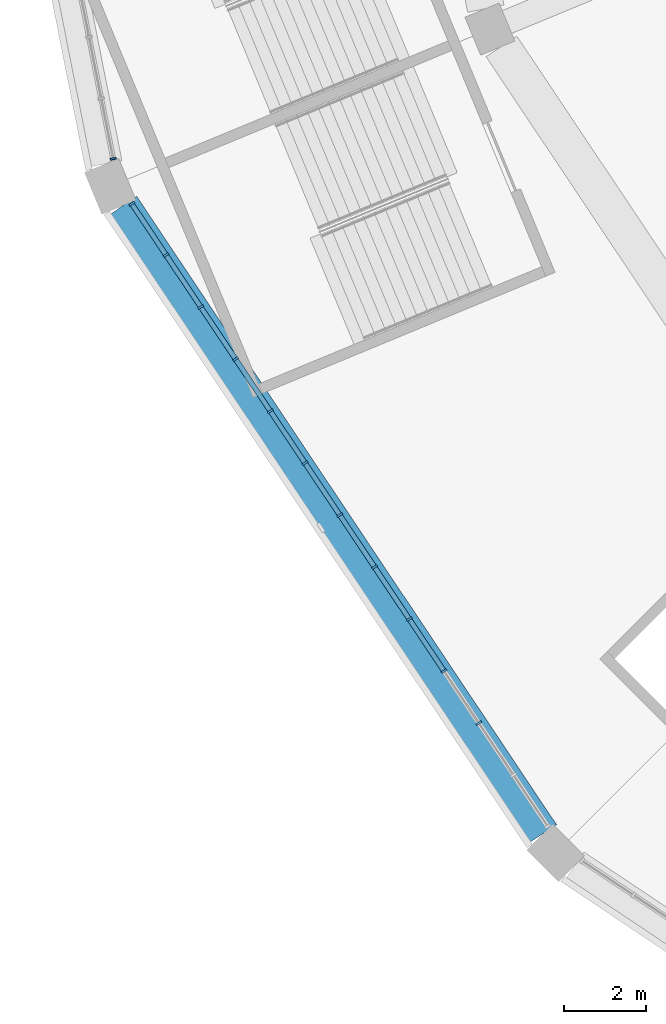
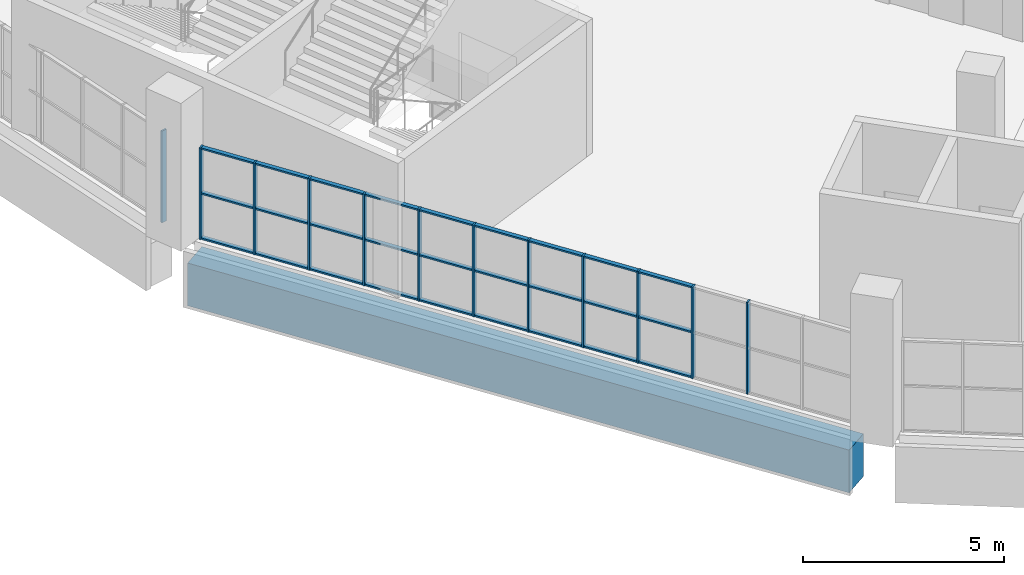
# One storey, part 3 of 199: 39 members, 1 beam, 2 elements without a shape of their own.
"""IFC4 building model written with IfcOpenShell, lengths in metres."""

from ifc_helpers import new_model, si_unit, direction, frame, origin, origin_2d, place, context, subcontext, project, spatial, rectangle, extrude, material, material_profile, profile_set, type_object, element, aggregate, save


model = new_model("IFC4")

# Units and contexts
model_context = context("Model", 3, precision=1e-05, world=origin(), true_north=direction((0.0, 1.0)))
body_context = subcontext(model_context, "Body", "Model", "MODEL_VIEW")
ifc_project = project(units=[si_unit("LENGTHUNIT", "METRE"), si_unit("AREAUNIT", "SQUARE_METRE"), si_unit("VOLUMEUNIT", "CUBIC_METRE"), si_unit("PLANEANGLEUNIT", "RADIAN"), si_unit("MASSUNIT", "GRAM", prefix="KILO")], contexts=[model_context])

# Site, building, storey
site_placement = place(None, origin())
site = spatial("IfcSite", under=ifc_project, at=site_placement, CompositionType="ELEMENT")
building_placement = place(site_placement, origin())
building = spatial("IfcBuilding", under=site, at=building_placement, Name="Ogive Plaza Stadium", CompositionType="ELEMENT")
storey_placement = place(building_placement, frame((0.0, 0.0, 9.0)))
storey = spatial("IfcBuildingStorey", under=building, at=storey_placement, Name="L02", CompositionType="ELEMENT", Elevation=9.0)

# Curtain wall, members
ifc_material_1 = material(Name="Bronze-anodised aluminium with laminated glass", Category="aluminium")
curtain_wall_type = type_object("IfcCurtainWallType", Name="Lancet curtain wall", PredefinedType="NOTDEFINED", material=ifc_material_1)
curtain_wall_1_placement = place(storey_placement, origin())
curtain_wall_1 = element("IfcCurtainWall", 1, at=curtain_wall_1_placement, inside=storey, type_object=curtain_wall_type, Name="CURTAIN WALL B19 L02", PredefinedType="NOTDEFINED")
ifc_material_2 = material(Name="Bronze-anodised aluminium", Category="aluminium")
ifc_material_profile_1 = material_profile(ifc_material_2, rectangle(XDim=0.14990234375, YDim=0.050048828125, at=origin_2d()), Name="AL 150x50")
ifc_profile_set_1 = profile_set([ifc_material_profile_1], Name="Bronze-anodised aluminium")
member_type_1 = type_object("IfcMemberType", Name="Curtain wall mullion 50x150", PredefinedType="MULLION", material=ifc_profile_set_1)
member_1_placement = place(storey_placement, frame((-71.225341796875, -84.69677734375, 0.0), z_axis=(0.0, 0.0, 1.0), x_axis=(-0.831469612303, -0.55557023302, 0.0)))
member_1 = element("IfcMember", 2, at=member_1_placement, type_object=member_type_1, Name="CW-B19-L02 mullion 3", PredefinedType="MULLION", context=body_context, shape_type="SweptSolid", body=[
    extrude(rectangle(XDim=0.14990234375, YDim=0.050048828125, at=origin_2d()), origin(), (0.0, 0.0, 1.0), 2.7900390625),
])
member_2_placement = place(storey_placement, frame((-72.071044921875, -83.430908203125, 0.0), z_axis=(0.0, 0.0, 1.0), x_axis=(-0.831469612303, -0.55557023302, 0.0)))
member_2 = element("IfcMember", 3, at=member_2_placement, type_object=member_type_1, Name="CW-B19-L02 mullion 4", PredefinedType="MULLION", context=body_context, shape_type="SweptSolid", body=[
    extrude(rectangle(XDim=0.14990234375, YDim=0.050048828125, at=origin_2d()), origin(), (0.0, 0.0, 1.0), 2.7900390625),
])
member_3_placement = place(storey_placement, frame((-72.916748046875, -82.165283203125, 0.0), z_axis=(0.0, 0.0, 1.0), x_axis=(-0.831469612303, -0.55557023302, 0.0)))
member_3 = element("IfcMember", 4, at=member_3_placement, type_object=member_type_1, Name="CW-B19-L02 mullion 5", PredefinedType="MULLION", context=body_context, shape_type="SweptSolid", body=[
    extrude(rectangle(XDim=0.14990234375, YDim=0.050048828125, at=origin_2d()), origin(), (0.0, 0.0, 1.0), 2.7900390625),
])
member_4_placement = place(storey_placement, frame((-73.7626953125, -80.8994140625, 0.0), z_axis=(0.0, 0.0, 1.0), x_axis=(-0.831469612303, -0.55557023302, 0.0)))
member_4 = element("IfcMember", 5, at=member_4_placement, type_object=member_type_1, Name="CW-B19-L02 mullion 6", PredefinedType="MULLION", context=body_context, shape_type="SweptSolid", body=[
    extrude(rectangle(XDim=0.14990234375, YDim=0.050048828125, at=origin_2d()), origin(), (0.0, 0.0, 1.0), 2.7900390625),
])
member_5_placement = place(storey_placement, frame((-74.6083984375, -79.633544921875, 0.0), z_axis=(0.0, 0.0, 1.0), x_axis=(-0.831469612303, -0.55557023302, 0.0)))
member_5 = element("IfcMember", 6, at=member_5_placement, type_object=member_type_1, Name="CW-B19-L02 mullion 7", PredefinedType="MULLION", context=body_context, shape_type="SweptSolid", body=[
    extrude(rectangle(XDim=0.14990234375, YDim=0.050048828125, at=origin_2d()), origin(), (0.0, 0.0, 1.0), 2.7900390625),
])
member_6_placement = place(storey_placement, frame((-75.4541015625, -78.367919921875, 0.0), z_axis=(0.0, 0.0, 1.0), x_axis=(-0.831469612303, -0.55557023302, 0.0)))
member_6 = element("IfcMember", 7, at=member_6_placement, type_object=member_type_1, Name="CW-B19-L02 mullion 8", PredefinedType="MULLION", context=body_context, shape_type="SweptSolid", body=[
    extrude(rectangle(XDim=0.14990234375, YDim=0.050048828125, at=origin_2d()), origin(), (0.0, 0.0, 1.0), 2.7900390625),
])
member_7_placement = place(storey_placement, frame((-76.2998046875, -77.10205078125, 0.0), z_axis=(0.0, 0.0, 1.0), x_axis=(-0.831469612303, -0.55557023302, 0.0)))
member_7 = element("IfcMember", 8, at=member_7_placement, type_object=member_type_1, Name="CW-B19-L02 mullion 9", PredefinedType="MULLION", context=body_context, shape_type="SweptSolid", body=[
    extrude(rectangle(XDim=0.14990234375, YDim=0.050048828125, at=origin_2d()), origin(), (0.0, 0.0, 1.0), 2.7900390625),
])
member_8_placement = place(storey_placement, frame((-77.145751953125, -75.836181640625, 0.0), z_axis=(0.0, 0.0, 1.0), x_axis=(-0.831469612303, -0.55557023302, 0.0)))
member_8 = element("IfcMember", 9, at=member_8_placement, type_object=member_type_1, Name="CW-B19-L02 mullion 10", PredefinedType="MULLION", context=body_context, shape_type="SweptSolid", body=[
    extrude(rectangle(XDim=0.14990234375, YDim=0.050048828125, at=origin_2d()), origin(), (0.0, 0.0, 1.0), 2.7900390625),
])
member_9_placement = place(storey_placement, frame((-77.991455078125, -74.570556640625, 0.0), z_axis=(0.0, 0.0, 1.0), x_axis=(-0.831469612303, -0.55557023302, 0.0)))
member_9 = element("IfcMember", 10, at=member_9_placement, type_object=member_type_1, Name="CW-B19-L02 mullion 11", PredefinedType="MULLION", context=body_context, shape_type="SweptSolid", body=[
    extrude(rectangle(XDim=0.14990234375, YDim=0.050048828125, at=origin_2d()), origin(), (0.0, 0.0, 1.0), 2.7900390625),
])
member_10_placement = place(storey_placement, frame((-78.837158203125, -73.3046875, 0.0), z_axis=(0.0, 0.0, 1.0), x_axis=(-0.831469612303, -0.55557023302, 0.0)))
member_10 = element("IfcMember", 11, at=member_10_placement, type_object=member_type_1, Name="CW-B19-L02 mullion 12", PredefinedType="MULLION", context=body_context, shape_type="SweptSolid", body=[
    extrude(rectangle(XDim=0.14990234375, YDim=0.050048828125, at=origin_2d()), origin(), (0.0, 0.0, 1.0), 2.7900390625),
])
member_11_placement = place(storey_placement, frame((-79.669189453125, -72.059814453125, 0.0), z_axis=(0.0, 0.0, 1.0), x_axis=(-0.831469612303, -0.55557023302, 0.0)))
member_11 = element("IfcMember", 12, at=member_11_placement, type_object=member_type_1, Name="CW-B19-L02 mullion 13", PredefinedType="MULLION", context=body_context, shape_type="SweptSolid", body=[
    extrude(rectangle(XDim=0.14990234375, YDim=0.050048828125, at=origin_2d()), origin(), (0.0, 0.0, 1.0), 2.7900390625),
])

# Curtain wall, member
curtain_wall_2_placement = place(storey_placement, origin())
curtain_wall_2 = element("IfcCurtainWall", 13, at=curtain_wall_2_placement, inside=storey, type_object=curtain_wall_type, Name="CURTAIN WALL B20 L02", PredefinedType="NOTDEFINED")
member_12_placement = place(storey_placement, frame((-80.123779296875, -70.962158203125, 0.0), z_axis=(0.0, 0.0, 1.0), x_axis=(-0.9807852804, -0.195090322033, 0.0)))
member_12 = element("IfcMember", 14, at=member_12_placement, type_object=member_type_1, Name="CW-B20-L02 mullion 1", PredefinedType="MULLION", context=body_context, shape_type="SweptSolid", body=[
    extrude(rectangle(XDim=0.14990234375, YDim=0.050048828125, at=origin_2d()), origin(), (0.0, 0.0, 1.0), 2.7900390625),
])
aggregate(curtain_wall_2, [member_12])

# Member
ifc_material_3 = material(Name="Bronze-anodised aluminium", Category="aluminium")
ifc_material_profile_2 = material_profile(ifc_material_3, rectangle(XDim=0.1201171875, YDim=0.050048828125, at=origin_2d()), Name="AL 120x50")
ifc_profile_set_2 = profile_set([ifc_material_profile_2], Name="Bronze-anodised aluminium")
member_type_2 = type_object("IfcMemberType", Name="Curtain wall transom 50x120", PredefinedType="USERDEFINED", material=ifc_profile_set_2)
member_13_placement = place(storey_placement, frame((-72.0849609375, -83.41015625, 0.02490234375), z_axis=(-0.555541835587, 0.831488586159, 0.0), x_axis=(-0.831488586159, -0.555541835587, 0.0)))
member_13 = element("IfcMember", 15, at=member_13_placement, type_object=member_type_2, Name="CW-B19-L02 transom 4.1", ObjectType="TRANSOM", PredefinedType="USERDEFINED", context=body_context, shape_type="SweptSolid", body=[
    extrude(rectangle(XDim=0.1201171875, YDim=0.050048828125, at=origin_2d()), origin(), (0.0, 0.0, 1.0), 1.47216796875),
])

member_14_placement = place(storey_placement, frame((-72.0849609375, -83.41015625, 1.39501953125), z_axis=(-0.555541835587, 0.831488586159, 0.0), x_axis=(-0.831488586159, -0.555541835587, 0.0)))
member_14 = element("IfcMember", 16, at=member_14_placement, type_object=member_type_2, Name="CW-B19-L02 transom 4.2", ObjectType="TRANSOM", PredefinedType="USERDEFINED", context=body_context, shape_type="SweptSolid", body=[
    extrude(rectangle(XDim=0.1201171875, YDim=0.050048828125, at=origin_2d()), origin(), (0.0, 0.0, 1.0), 1.47216796875),
])

member_15_placement = place(storey_placement, frame((-72.0849609375, -83.41015625, 2.764892578125), z_axis=(-0.555541835587, 0.831488586159, 0.0), x_axis=(-0.831488586159, -0.555541835587, 0.0)))
member_15 = element("IfcMember", 17, at=member_15_placement, type_object=member_type_2, Name="CW-B19-L02 transom 4.3", ObjectType="TRANSOM", PredefinedType="USERDEFINED", context=body_context, shape_type="SweptSolid", body=[
    extrude(rectangle(XDim=0.1201171875, YDim=0.050048828125, at=origin_2d()), origin(), (0.0, 0.0, 1.0), 1.47216796875),
])

member_16_placement = place(storey_placement, frame((-72.9306640625, -82.14453125, 0.02490234375), z_axis=(-0.555579876157, 0.831463168883, 0.0), x_axis=(-0.831463168883, -0.555579876157, 0.0)))
member_16 = element("IfcMember", 18, at=member_16_placement, type_object=member_type_2, Name="CW-B19-L02 transom 5.1", ObjectType="TRANSOM", PredefinedType="USERDEFINED", context=body_context, shape_type="SweptSolid", body=[
    extrude(rectangle(XDim=0.1201171875, YDim=0.050048828125, at=origin_2d()), origin(), (0.0, 0.0, 1.0), 1.47265625),
])

member_17_placement = place(storey_placement, frame((-72.9306640625, -82.14453125, 1.39501953125), z_axis=(-0.555579876157, 0.831463168883, 0.0), x_axis=(-0.831463168883, -0.555579876157, 0.0)))
member_17 = element("IfcMember", 19, at=member_17_placement, type_object=member_type_2, Name="CW-B19-L02 transom 5.2", ObjectType="TRANSOM", PredefinedType="USERDEFINED", context=body_context, shape_type="SweptSolid", body=[
    extrude(rectangle(XDim=0.1201171875, YDim=0.050048828125, at=origin_2d()), origin(), (0.0, 0.0, 1.0), 1.47265625),
])

member_18_placement = place(storey_placement, frame((-72.9306640625, -82.14453125, 2.764892578125), z_axis=(-0.555579876157, 0.831463168883, 0.0), x_axis=(-0.831463168883, -0.555579876157, 0.0)))
member_18 = element("IfcMember", 20, at=member_18_placement, type_object=member_type_2, Name="CW-B19-L02 transom 5.3", ObjectType="TRANSOM", PredefinedType="USERDEFINED", context=body_context, shape_type="SweptSolid", body=[
    extrude(rectangle(XDim=0.1201171875, YDim=0.050048828125, at=origin_2d()), origin(), (0.0, 0.0, 1.0), 1.47265625),
])

member_19_placement = place(storey_placement, frame((-73.7763671875, -80.878662109375, 0.02490234375), z_axis=(-0.555656472512, 0.831411982446, 0.0), x_axis=(-0.831411982446, -0.555656472512, 0.0)))
member_19 = element("IfcMember", 21, at=member_19_placement, type_object=member_type_2, Name="CW-B19-L02 transom 6.1", ObjectType="TRANSOM", PredefinedType="USERDEFINED", context=body_context, shape_type="SweptSolid", body=[
    extrude(rectangle(XDim=0.1201171875, YDim=0.050048828125, at=origin_2d()), origin(), (0.0, 0.0, 1.0), 1.472412109375),
])

member_20_placement = place(storey_placement, frame((-73.7763671875, -80.878662109375, 1.39501953125), z_axis=(-0.555656472512, 0.831411982446, 0.0), x_axis=(-0.831411982446, -0.555656472512, 0.0)))
member_20 = element("IfcMember", 22, at=member_20_placement, type_object=member_type_2, Name="CW-B19-L02 transom 6.2", ObjectType="TRANSOM", PredefinedType="USERDEFINED", context=body_context, shape_type="SweptSolid", body=[
    extrude(rectangle(XDim=0.1201171875, YDim=0.050048828125, at=origin_2d()), origin(), (0.0, 0.0, 1.0), 1.472412109375),
])

member_21_placement = place(storey_placement, frame((-73.7763671875, -80.878662109375, 2.764892578125), z_axis=(-0.555656472512, 0.831411982446, 0.0), x_axis=(-0.831411982446, -0.555656472512, 0.0)))
member_21 = element("IfcMember", 23, at=member_21_placement, type_object=member_type_2, Name="CW-B19-L02 transom 6.3", ObjectType="TRANSOM", PredefinedType="USERDEFINED", context=body_context, shape_type="SweptSolid", body=[
    extrude(rectangle(XDim=0.1201171875, YDim=0.050048828125, at=origin_2d()), origin(), (0.0, 0.0, 1.0), 1.472412109375),
])

member_22_placement = place(storey_placement, frame((-74.622314453125, -79.61279296875, 0.02490234375), z_axis=(-0.555541835587, 0.831488586159, 0.0), x_axis=(-0.831488586159, -0.555541835587, 0.0)))
member_22 = element("IfcMember", 24, at=member_22_placement, type_object=member_type_2, Name="CW-B19-L02 transom 7.1", ObjectType="TRANSOM", PredefinedType="USERDEFINED", context=body_context, shape_type="SweptSolid", body=[
    extrude(rectangle(XDim=0.1201171875, YDim=0.050048828125, at=origin_2d()), origin(), (0.0, 0.0, 1.0), 1.47216796875),
])

member_23_placement = place(storey_placement, frame((-74.622314453125, -79.61279296875, 1.39501953125), z_axis=(-0.555541835587, 0.831488586159, 0.0), x_axis=(-0.831488586159, -0.555541835587, 0.0)))
member_23 = element("IfcMember", 25, at=member_23_placement, type_object=member_type_2, Name="CW-B19-L02 transom 7.2", ObjectType="TRANSOM", PredefinedType="USERDEFINED", context=body_context, shape_type="SweptSolid", body=[
    extrude(rectangle(XDim=0.1201171875, YDim=0.050048828125, at=origin_2d()), origin(), (0.0, 0.0, 1.0), 1.47216796875),
])

member_24_placement = place(storey_placement, frame((-74.622314453125, -79.61279296875, 2.764892578125), z_axis=(-0.555541835587, 0.831488586159, 0.0), x_axis=(-0.831488586159, -0.555541835587, 0.0)))
member_24 = element("IfcMember", 26, at=member_24_placement, type_object=member_type_2, Name="CW-B19-L02 transom 7.3", ObjectType="TRANSOM", PredefinedType="USERDEFINED", context=body_context, shape_type="SweptSolid", body=[
    extrude(rectangle(XDim=0.1201171875, YDim=0.050048828125, at=origin_2d()), origin(), (0.0, 0.0, 1.0), 1.47216796875),
])

member_25_placement = place(storey_placement, frame((-75.468017578125, -78.34716796875, 0.02490234375), z_axis=(-0.555579876157, 0.831463168883, 0.0), x_axis=(-0.831463168883, -0.555579876157, 0.0)))
member_25 = element("IfcMember", 27, at=member_25_placement, type_object=member_type_2, Name="CW-B19-L02 transom 8.1", ObjectType="TRANSOM", PredefinedType="USERDEFINED", context=body_context, shape_type="SweptSolid", body=[
    extrude(rectangle(XDim=0.1201171875, YDim=0.050048828125, at=origin_2d()), origin(), (0.0, 0.0, 1.0), 1.47265625),
])

member_26_placement = place(storey_placement, frame((-75.468017578125, -78.34716796875, 1.39501953125), z_axis=(-0.555579876157, 0.831463168883, 0.0), x_axis=(-0.831463168883, -0.555579876157, 0.0)))
member_26 = element("IfcMember", 28, at=member_26_placement, type_object=member_type_2, Name="CW-B19-L02 transom 8.2", ObjectType="TRANSOM", PredefinedType="USERDEFINED", context=body_context, shape_type="SweptSolid", body=[
    extrude(rectangle(XDim=0.1201171875, YDim=0.050048828125, at=origin_2d()), origin(), (0.0, 0.0, 1.0), 1.47265625),
])

member_27_placement = place(storey_placement, frame((-75.468017578125, -78.34716796875, 2.764892578125), z_axis=(-0.555579876157, 0.831463168883, 0.0), x_axis=(-0.831463168883, -0.555579876157, 0.0)))
member_27 = element("IfcMember", 29, at=member_27_placement, type_object=member_type_2, Name="CW-B19-L02 transom 8.3", ObjectType="TRANSOM", PredefinedType="USERDEFINED", context=body_context, shape_type="SweptSolid", body=[
    extrude(rectangle(XDim=0.1201171875, YDim=0.050048828125, at=origin_2d()), origin(), (0.0, 0.0, 1.0), 1.47265625),
])

member_28_placement = place(storey_placement, frame((-76.313720703125, -77.081298828125, 0.02490234375), z_axis=(-0.555656472512, 0.831411982446, 0.0), x_axis=(-0.831411982446, -0.555656472512, 0.0)))
member_28 = element("IfcMember", 30, at=member_28_placement, type_object=member_type_2, Name="CW-B19-L02 transom 9.1", ObjectType="TRANSOM", PredefinedType="USERDEFINED", context=body_context, shape_type="SweptSolid", body=[
    extrude(rectangle(XDim=0.1201171875, YDim=0.050048828125, at=origin_2d()), origin(), (0.0, 0.0, 1.0), 1.472412109375),
])

member_29_placement = place(storey_placement, frame((-76.313720703125, -77.081298828125, 1.39501953125), z_axis=(-0.555656472512, 0.831411982446, 0.0), x_axis=(-0.831411982446, -0.555656472512, 0.0)))
member_29 = element("IfcMember", 31, at=member_29_placement, type_object=member_type_2, Name="CW-B19-L02 transom 9.2", ObjectType="TRANSOM", PredefinedType="USERDEFINED", context=body_context, shape_type="SweptSolid", body=[
    extrude(rectangle(XDim=0.1201171875, YDim=0.050048828125, at=origin_2d()), origin(), (0.0, 0.0, 1.0), 1.472412109375),
])

member_30_placement = place(storey_placement, frame((-76.313720703125, -77.081298828125, 2.764892578125), z_axis=(-0.555656472512, 0.831411982446, 0.0), x_axis=(-0.831411982446, -0.555656472512, 0.0)))
member_30 = element("IfcMember", 32, at=member_30_placement, type_object=member_type_2, Name="CW-B19-L02 transom 9.3", ObjectType="TRANSOM", PredefinedType="USERDEFINED", context=body_context, shape_type="SweptSolid", body=[
    extrude(rectangle(XDim=0.1201171875, YDim=0.050048828125, at=origin_2d()), origin(), (0.0, 0.0, 1.0), 1.472412109375),
])

member_31_placement = place(storey_placement, frame((-77.15966796875, -75.8154296875, 0.02490234375), z_axis=(-0.555541835587, 0.831488586159, 0.0), x_axis=(-0.831488586159, -0.555541835587, 0.0)))
member_31 = element("IfcMember", 33, at=member_31_placement, type_object=member_type_2, Name="CW-B19-L02 transom 10.1", ObjectType="TRANSOM", PredefinedType="USERDEFINED", context=body_context, shape_type="SweptSolid", body=[
    extrude(rectangle(XDim=0.1201171875, YDim=0.050048828125, at=origin_2d()), origin(), (0.0, 0.0, 1.0), 1.47216796875),
])

member_32_placement = place(storey_placement, frame((-77.15966796875, -75.8154296875, 1.39501953125), z_axis=(-0.555541835587, 0.831488586159, 0.0), x_axis=(-0.831488586159, -0.555541835587, 0.0)))
member_32 = element("IfcMember", 34, at=member_32_placement, type_object=member_type_2, Name="CW-B19-L02 transom 10.2", ObjectType="TRANSOM", PredefinedType="USERDEFINED", context=body_context, shape_type="SweptSolid", body=[
    extrude(rectangle(XDim=0.1201171875, YDim=0.050048828125, at=origin_2d()), origin(), (0.0, 0.0, 1.0), 1.47216796875),
])

member_33_placement = place(storey_placement, frame((-77.15966796875, -75.8154296875, 2.764892578125), z_axis=(-0.555541835587, 0.831488586159, 0.0), x_axis=(-0.831488586159, -0.555541835587, 0.0)))
member_33 = element("IfcMember", 35, at=member_33_placement, type_object=member_type_2, Name="CW-B19-L02 transom 10.3", ObjectType="TRANSOM", PredefinedType="USERDEFINED", context=body_context, shape_type="SweptSolid", body=[
    extrude(rectangle(XDim=0.1201171875, YDim=0.050048828125, at=origin_2d()), origin(), (0.0, 0.0, 1.0), 1.47216796875),
])

member_34_placement = place(storey_placement, frame((-78.00537109375, -74.5498046875, 0.02490234375), z_axis=(-0.555465240925, 0.83153975619, 0.0), x_axis=(-0.83153975619, -0.555465240925, 0.0)))
member_34 = element("IfcMember", 36, at=member_34_placement, type_object=member_type_2, Name="CW-B19-L02 transom 11.1", ObjectType="TRANSOM", PredefinedType="USERDEFINED", context=body_context, shape_type="SweptSolid", body=[
    extrude(rectangle(XDim=0.1201171875, YDim=0.050048828125, at=origin_2d()), origin(), (0.0, 0.0, 1.0), 1.472412109375),
])

member_35_placement = place(storey_placement, frame((-78.00537109375, -74.5498046875, 1.39501953125), z_axis=(-0.555465240925, 0.83153975619, 0.0), x_axis=(-0.83153975619, -0.555465240925, 0.0)))
member_35 = element("IfcMember", 37, at=member_35_placement, type_object=member_type_2, Name="CW-B19-L02 transom 11.2", ObjectType="TRANSOM", PredefinedType="USERDEFINED", context=body_context, shape_type="SweptSolid", body=[
    extrude(rectangle(XDim=0.1201171875, YDim=0.050048828125, at=origin_2d()), origin(), (0.0, 0.0, 1.0), 1.472412109375),
])

member_36_placement = place(storey_placement, frame((-78.00537109375, -74.5498046875, 2.764892578125), z_axis=(-0.555465240925, 0.83153975619, 0.0), x_axis=(-0.83153975619, -0.555465240925, 0.0)))
member_36 = element("IfcMember", 38, at=member_36_placement, type_object=member_type_2, Name="CW-B19-L02 transom 11.3", ObjectType="TRANSOM", PredefinedType="USERDEFINED", context=body_context, shape_type="SweptSolid", body=[
    extrude(rectangle(XDim=0.1201171875, YDim=0.050048828125, at=origin_2d()), origin(), (0.0, 0.0, 1.0), 1.472412109375),
])

member_37_placement = place(storey_placement, frame((-78.85107421875, -73.283935546875, 0.02490234375), z_axis=(-0.555634077892, 0.831426948977, 0.0), x_axis=(-0.831426948977, -0.555634077892, 0.0)))
member_37 = element("IfcMember", 39, at=member_37_placement, type_object=member_type_2, Name="CW-B19-L02 transom 12.1", ObjectType="TRANSOM", PredefinedType="USERDEFINED", context=body_context, shape_type="SweptSolid", body=[
    extrude(rectangle(XDim=0.1201171875, YDim=0.050048828125, at=origin_2d()), origin(), (0.0, 0.0, 1.0), 1.447265625),
])

member_38_placement = place(storey_placement, frame((-78.85107421875, -73.283935546875, 1.39501953125), z_axis=(-0.555634077892, 0.831426948977, 0.0), x_axis=(-0.831426948977, -0.555634077892, 0.0)))
member_38 = element("IfcMember", 40, at=member_38_placement, type_object=member_type_2, Name="CW-B19-L02 transom 12.2", ObjectType="TRANSOM", PredefinedType="USERDEFINED", context=body_context, shape_type="SweptSolid", body=[
    extrude(rectangle(XDim=0.1201171875, YDim=0.050048828125, at=origin_2d()), origin(), (0.0, 0.0, 1.0), 1.447265625),
])

member_39_placement = place(storey_placement, frame((-78.85107421875, -73.283935546875, 2.764892578125), z_axis=(-0.555634077892, 0.831426948977, 0.0), x_axis=(-0.831426948977, -0.555634077892, 0.0)))
member_39 = element("IfcMember", 41, at=member_39_placement, type_object=member_type_2, Name="CW-B19-L02 transom 12.3", ObjectType="TRANSOM", PredefinedType="USERDEFINED", context=body_context, shape_type="SweptSolid", body=[
    extrude(rectangle(XDim=0.1201171875, YDim=0.050048828125, at=origin_2d()), origin(), (0.0, 0.0, 1.0), 1.447265625),
])

aggregate(curtain_wall_1, [member_1, member_2, member_3, member_4, member_5, member_6, member_7, member_8, member_9, member_10, member_11, member_13, member_14, member_15, member_16, member_17, member_18, member_19, member_20, member_21, member_22, member_23, member_24, member_25, member_26, member_27, member_28, member_29, member_30, member_31, member_32, member_33, member_34, member_35, member_36, member_37, member_38, member_39])

# Beam
ifc_material_4 = material(Name="Concrete C40/50", Category="concrete")
ifc_material_profile_3 = material_profile(ifc_material_4, rectangle(XDim=0.800048828125, YDim=1.300048828125, at=origin_2d()), Name="RC 800x1300")
ifc_profile_set_3 = profile_set([ifc_material_profile_3], Name="Concrete C40/50")
beam_type = type_object("IfcBeamType", Name="RC spandrel beam 800x1300", PredefinedType="SPANDREL", material=ifc_profile_set_3)
beam_placement = place(storey_placement, frame((-69.6669921875, -87.38916015625, -1.06005859375), z_axis=(-0.555557833169, 0.831477897484, 0.0), x_axis=(-0.831477897484, -0.555557833169, 0.0)))
element("IfcBeam", 42, at=beam_placement, inside=storey, type_object=beam_type, Name="Ring beam F5 L02 B19", PredefinedType="SPANDREL", context=body_context, shape_type="SweptSolid", body=[
    extrude(rectangle(XDim=0.800048828125, YDim=1.300048828125, at=origin_2d()), origin(), (0.0, 0.0, 1.0), 18.387451171875),
])

save(model, "model.ifc")
